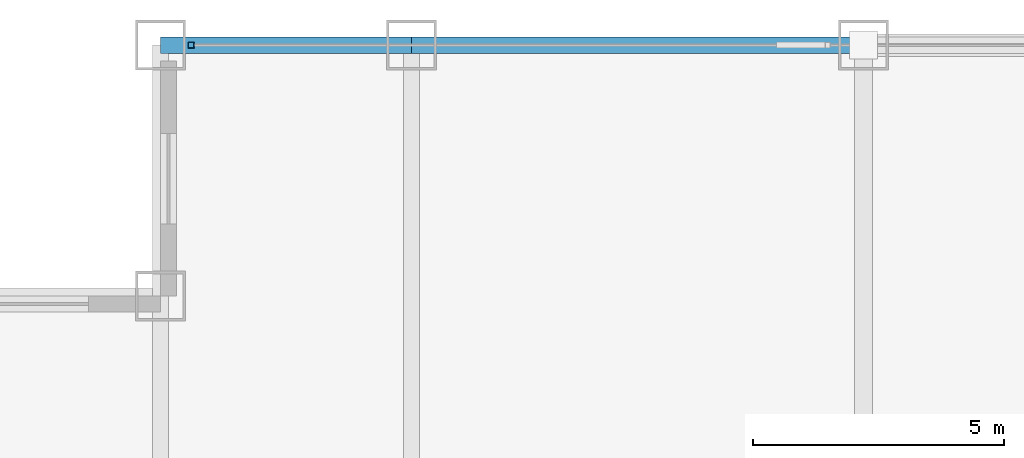
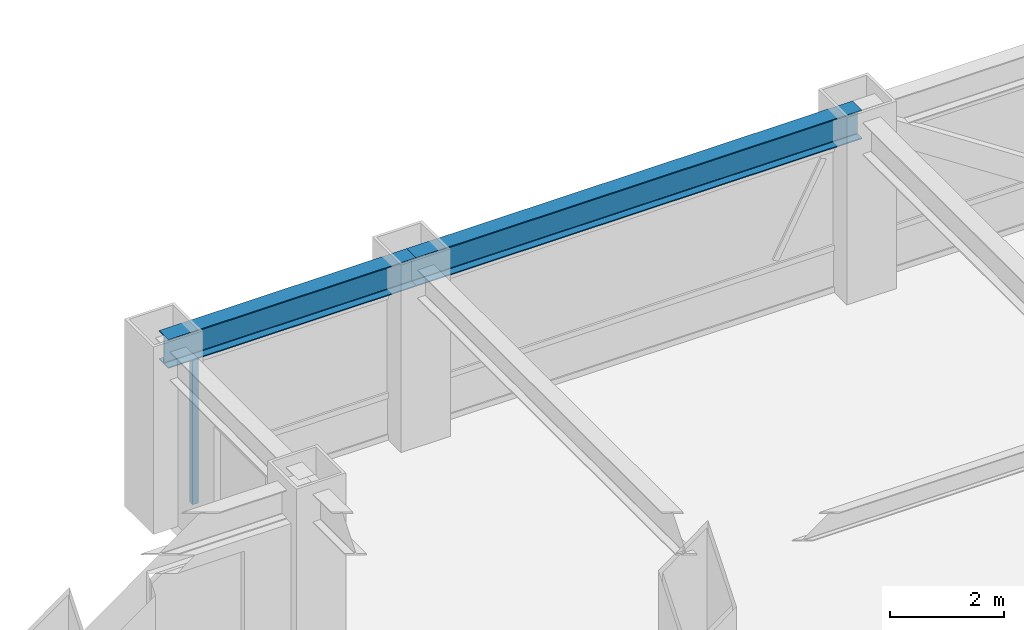
# One storey, part 14 of 25: 2 beams, 1 member, 1 element without a shape of its own.
"""IFC4 building model written with IfcOpenShell, lengths in metres."""

from ifc_helpers import new_model, si_unit, direction, frame, origin, origin_2d, place, context, subcontext, project, spatial, hollow_rectangle, i_section, extrude, source, transform, mapped, material, material_profile, profile_set, type_object, element, aggregate, save


model = new_model("IFC4")

# Units and contexts
model_context = context("Model", 3, precision=1e-05, world=origin(), true_north=direction((0.0, 1.0)))
body_context = subcontext(model_context, "Body", "Model", "MODEL_VIEW")
ifc_project = project(units=[si_unit("LENGTHUNIT", "METRE"), si_unit("AREAUNIT", "SQUARE_METRE"), si_unit("VOLUMEUNIT", "CUBIC_METRE"), si_unit("PLANEANGLEUNIT", "RADIAN"), si_unit("MASSUNIT", "GRAM", prefix="KILO")], contexts=[model_context])

# Site, building, storey
site_placement = place(None, origin())
site = spatial("IfcSite", under=ifc_project, at=site_placement, CompositionType="ELEMENT")
building_placement = place(site_placement, origin())
building = spatial("IfcBuilding", under=site, at=building_placement, Name="Khorayat Bourse Tower", CompositionType="ELEMENT")
storey_placement = place(building_placement, frame((0.0, 0.0, 255.10009765625)))
storey = spatial("IfcBuildingStorey", under=building, at=storey_placement, Name="L60", CompositionType="ELEMENT", Elevation=255.10009765625)

# Beams
ifc_material_1 = material(Name="Steel ASTM A992 Grade 50", Category="steel")
ifc_material_profile_1 = material_profile(ifc_material_1, i_section(OverallWidth=0.324951171875, OverallDepth=0.615966796875, WebThickness=0.013916015625, FlangeThickness=0.021484375, FilletRadius=0.01611328125, at=origin_2d()), Name="W610X174")
ifc_profile_set_1 = profile_set([ifc_material_profile_1], Name="Steel ASTM A992 Grade 50")
beam_type = type_object("IfcBeamType", Name="BM-SPAN-610", PredefinedType="SPANDREL", material=ifc_profile_set_1)
shared_shape_1 = source(origin(), body_context, "Body", "SweptSolid", [
    extrude(i_section(OverallWidth=0.324951171875, OverallDepth=0.615966796875, WebThickness=0.013916015625, FlangeThickness=0.021484375, FilletRadius=0.01611328125, at=origin_2d()), origin(), (0.0, 0.0, 1.0), 9.0),
])
beam_1_placement = place(storey_placement, frame((-20.0, 30.0, 3.471923828125), z_axis=(1.0, 0.0, 0.0), x_axis=(0.0, 1.0, 0.0)))
element("IfcBeam", 1, at=beam_1_placement, inside=storey, type_object=beam_type, Name="L60 BM-SPAN-610 BM-L60-SPN-050", PredefinedType="SPANDREL", context=body_context, shape_type="MappedRepresentation", body=[
    mapped(shared_shape_1, transform((0.0, 0.0, 0.0), scale=1.0)),
])
shared_shape_2 = source(origin(), body_context, "Body", "SweptSolid", [
    extrude(i_section(OverallWidth=0.324951171875, OverallDepth=0.615966796875, WebThickness=0.013916015625, FlangeThickness=0.021484375, FilletRadius=0.01611328125, at=origin_2d()), origin(), (0.0, 0.0, 1.0), 5.0),
])
beam_2_placement = place(storey_placement, frame((-25.0, 30.0, 3.471923828125), z_axis=(1.0, 0.0, 0.0), x_axis=(0.0, 1.0, 0.0)))
element("IfcBeam", 2, at=beam_2_placement, inside=storey, type_object=beam_type, Name="L60 BM-SPAN-610 BM-L60-SPN-051", PredefinedType="SPANDREL", context=body_context, shape_type="MappedRepresentation", body=[
    mapped(shared_shape_2, transform((0.0, 0.0, 0.0), scale=1.0)),
])

# Curtain wall, member
ifc_material_2 = material(Name="Aluminium EN AW-6063 T6", Category="aluminium")
curtain_wall_type = type_object("IfcCurtainWallType", Name="CW-SYS-03", PredefinedType="NOTDEFINED", material=ifc_material_2)
curtain_wall_placement = place(storey_placement, origin())
curtain_wall = element("IfcCurtainWall", 3, at=curtain_wall_placement, inside=storey, type_object=curtain_wall_type, Name="L60 Curtain Wall CW-L60-N1", PredefinedType="NOTDEFINED")
ifc_material_profile_2 = material_profile(ifc_material_2, hollow_rectangle(XDim=0.1201171875, YDim=0.1201171875, WallThickness=0.0048828125, at=origin_2d()), Name="ALU 120x120x5")
ifc_profile_set_2 = profile_set([ifc_material_profile_2], Name="Aluminium EN AW-6063 T6")
member_type = type_object("IfcMemberType", Name="CWM-VERT-120", PredefinedType="MULLION", material=ifc_profile_set_2)
shared_shape_3 = source(origin(), body_context, "Body", "SweptSolid", [
    extrude(hollow_rectangle(XDim=0.1201171875, YDim=0.1201171875, WallThickness=0.0048828125, at=origin_2d()), origin(), (0.0, 0.0, 1.0), 3.1298828125),
])
member_placement = place(storey_placement, frame((-24.389892578125, 30.0, 0.0), z_axis=(0.0, 0.0, 1.0), x_axis=(0.0, 1.0, 0.0)))
member = element("IfcMember", 4, at=member_placement, type_object=member_type, Name="CW-L60-N1 Vertical Mullion 1", PredefinedType="MULLION", context=body_context, shape_type="MappedRepresentation", body=[
    mapped(shared_shape_3, transform((0.0, 0.0, 0.0), scale=1.0)),
])
aggregate(curtain_wall, [member])

save(model, "model.ifc")
